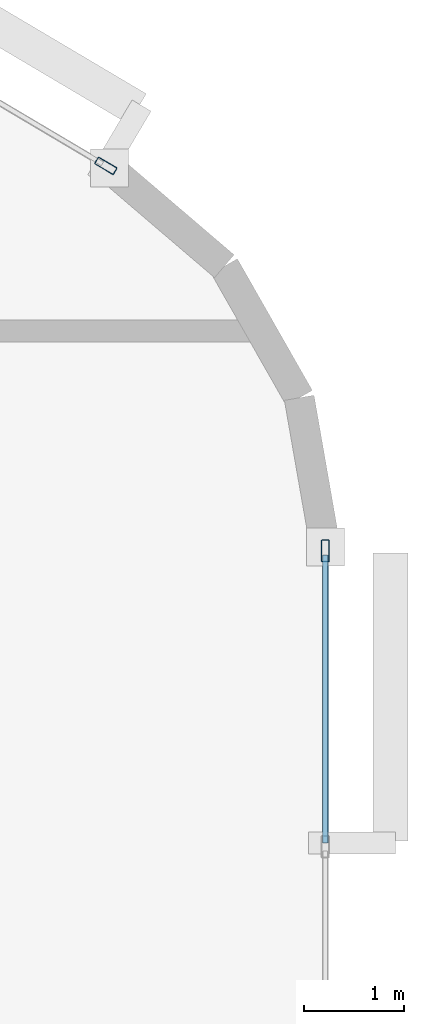
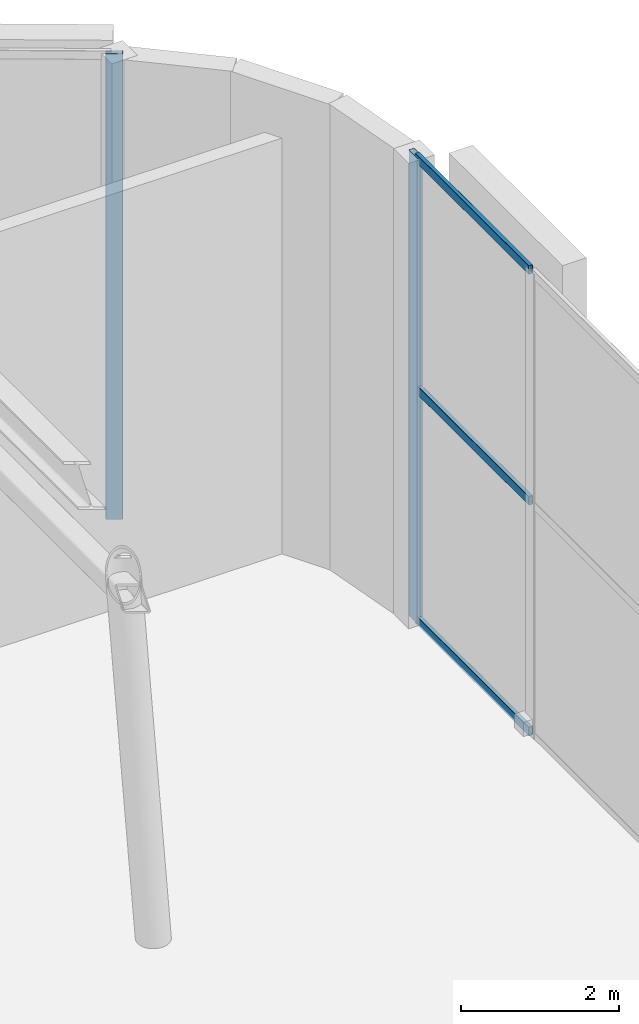
# One storey, part 15 of 20: 5 members, 2 elements without a shape of their own.
"""IFC4 building model written with IfcOpenShell, lengths in metres."""

from ifc_helpers import new_model, si_unit, direction, frame, origin, origin_2d, place, context, subcontext, project, spatial, hollow_rectangle, extrude, material, layer, layer_set, material_profile, profile_set, type_object, element, aggregate, save


model = new_model("IFC4")

# Units and contexts
model_context = context("Model", 3, precision=1e-05, world=origin(), true_north=direction((0.0, 1.0)))
body_context = subcontext(model_context, "Body", "Model", "MODEL_VIEW")
ifc_project = project(units=[si_unit("LENGTHUNIT", "METRE"), si_unit("AREAUNIT", "SQUARE_METRE"), si_unit("VOLUMEUNIT", "CUBIC_METRE"), si_unit("PLANEANGLEUNIT", "RADIAN"), si_unit("MASSUNIT", "GRAM", prefix="KILO")], contexts=[model_context])

# Site, building, storey
site_placement = place(None, origin())
site = spatial("IfcSite", under=ifc_project, at=site_placement, CompositionType="ELEMENT")
building_placement = place(site_placement, origin())
building = spatial("IfcBuilding", under=site, at=building_placement, Name="An Khanh Terracotta Commons", CompositionType="ELEMENT")
storey_placement = place(building_placement, frame((0.0, 0.0, 308.0)))
storey = spatial("IfcBuildingStorey", under=building, at=storey_placement, Name="L79 Crown Damper Gallery", CompositionType="ELEMENT", Elevation=308.0)

# Curtain wall, member
ifc_material = material(Name="Anodised Aluminium 6063-T6", Category="aluminium")
ifc_layer = layer(ifc_material, 0.25, Name="Anodised Aluminium 6063-T6")
ifc_layer_set = layer_set([ifc_layer], Name="Anodised Aluminium 6063-T6")
curtain_wall_type = type_object("IfcCurtainWallType", Name="CW-SYS-05", PredefinedType="USERDEFINED", material=ifc_layer_set)
curtain_wall_1_placement = place(storey_placement, origin())
curtain_wall_1 = element("IfcCurtainWall", 1, at=curtain_wall_1_placement, inside=storey, type_object=curtain_wall_type, Name="L79 Crown Damper Gallery CW-05 Unitised Curtain Wall CW-L79-12", ObjectType="UNITISED CURTAIN WALL", PredefinedType="USERDEFINED")
ifc_material_profile_1 = material_profile(ifc_material, hollow_rectangle(XDim=0.080078125, YDim=0.219970703125, WallThickness=0.0048828125, InnerFilletRadius=0.0048828125, OuterFilletRadius=0.010009765625, at=origin_2d()), Name="RHS220x80x5")
ifc_profile_set_1 = profile_set([ifc_material_profile_1], Name="Anodised Aluminium 6063-T6")
member_type_1 = type_object("IfcMemberType", Name="CWM-RHS220x80x5", PredefinedType="MULLION", material=ifc_profile_set_1)
member_1_placement = place(storey_placement, frame((69.800048828125, 28.452880859375, 0.0), z_axis=(0.0, 0.0, 1.0), x_axis=(-1.0, 0.0, 0.0)))
member_1 = element("IfcMember", 2, at=member_1_placement, type_object=member_type_1, Name="CW-05 mullion 4", PredefinedType="MULLION", context=body_context, shape_type="SweptSolid", body=[
    extrude(hollow_rectangle(XDim=0.080078125, YDim=0.219970703125, WallThickness=0.0048828125, InnerFilletRadius=0.0048828125, OuterFilletRadius=0.010009765625, at=origin_2d()), origin(), (0.0, 0.0, 1.0), 7.199951171875),
])

curtain_wall_2_placement = place(storey_placement, origin())
curtain_wall_2 = element("IfcCurtainWall", 3, at=curtain_wall_2_placement, inside=storey, type_object=curtain_wall_type, Name="L79 Crown Damper Gallery CW-05 Unitised Curtain Wall CW-L79-16", ObjectType="UNITISED CURTAIN WALL", PredefinedType="USERDEFINED")
member_2_placement = place(storey_placement, frame((67.608642578125, 32.29833984375, 0.0), z_axis=(0.0, 0.0, 1.0), x_axis=(-0.509780687063, -0.860304394443, 0.0)))
member_2 = element("IfcMember", 4, at=member_2_placement, type_object=member_type_1, Name="CW-05 mullion 1", PredefinedType="MULLION", context=body_context, shape_type="SweptSolid", body=[
    extrude(hollow_rectangle(XDim=0.080078125, YDim=0.219970703125, WallThickness=0.0048828125, InnerFilletRadius=0.0048828125, OuterFilletRadius=0.010009765625, at=origin_2d()), origin(), (0.0, 0.0, 1.0), 7.199951171875),
])
aggregate(curtain_wall_2, [member_2])

# Member
ifc_material_profile_2 = material_profile(ifc_material, hollow_rectangle(XDim=0.06005859375, YDim=0.135009765625, WallThickness=0.003662109375, InnerFilletRadius=0.003662109375, OuterFilletRadius=0.007080078125, at=origin_2d()), Name="RHS135x60x3.6")
ifc_profile_set_2 = profile_set([ifc_material_profile_2], Name="Anodised Aluminium 6063-T6")
member_type_2 = type_object("IfcMemberType", Name="CWT-RHS135x60x3.6", PredefinedType="USERDEFINED", material=ifc_profile_set_2)
member_3_placement = place(storey_placement, frame((69.800048828125, 25.53759765625, 0.030029296875), z_axis=(0.0, 1.0, 0.0), x_axis=(-1.0, 0.0, 0.0)))
member_3 = element("IfcMember", 5, at=member_3_placement, type_object=member_type_2, Name="CW-05 transom 3.1", ObjectType="TRANSOM", PredefinedType="USERDEFINED", context=body_context, shape_type="SweptSolid", body=[
    extrude(hollow_rectangle(XDim=0.06005859375, YDim=0.135009765625, WallThickness=0.003662109375, InnerFilletRadius=0.003662109375, OuterFilletRadius=0.007080078125, at=origin_2d()), origin(), (0.0, 0.0, 1.0), 2.87548828125),
])

member_4_placement = place(storey_placement, frame((69.800048828125, 25.53759765625, 3.60009765625), z_axis=(0.0, 1.0, 0.0), x_axis=(-1.0, 0.0, 0.0)))
member_4 = element("IfcMember", 6, at=member_4_placement, type_object=member_type_2, Name="CW-05 transom 3.2", ObjectType="TRANSOM", PredefinedType="USERDEFINED", context=body_context, shape_type="SweptSolid", body=[
    extrude(hollow_rectangle(XDim=0.06005859375, YDim=0.135009765625, WallThickness=0.003662109375, InnerFilletRadius=0.003662109375, OuterFilletRadius=0.007080078125, at=origin_2d()), origin(), (0.0, 0.0, 1.0), 2.87548828125),
])

member_5_placement = place(storey_placement, frame((69.800048828125, 25.53759765625, 7.169921875), z_axis=(0.0, 1.0, 0.0), x_axis=(-1.0, 0.0, 0.0)))
member_5 = element("IfcMember", 7, at=member_5_placement, type_object=member_type_2, Name="CW-05 transom 3.3", ObjectType="TRANSOM", PredefinedType="USERDEFINED", context=body_context, shape_type="SweptSolid", body=[
    extrude(hollow_rectangle(XDim=0.06005859375, YDim=0.135009765625, WallThickness=0.003662109375, InnerFilletRadius=0.003662109375, OuterFilletRadius=0.007080078125, at=origin_2d()), origin(), (0.0, 0.0, 1.0), 2.87548828125),
])

aggregate(curtain_wall_1, [member_1, member_3, member_4, member_5])

save(model, "model.ifc")
